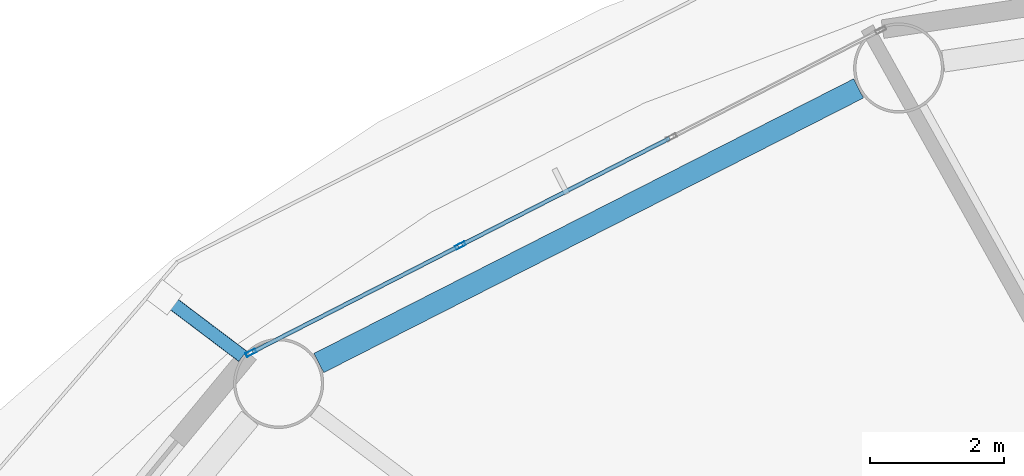
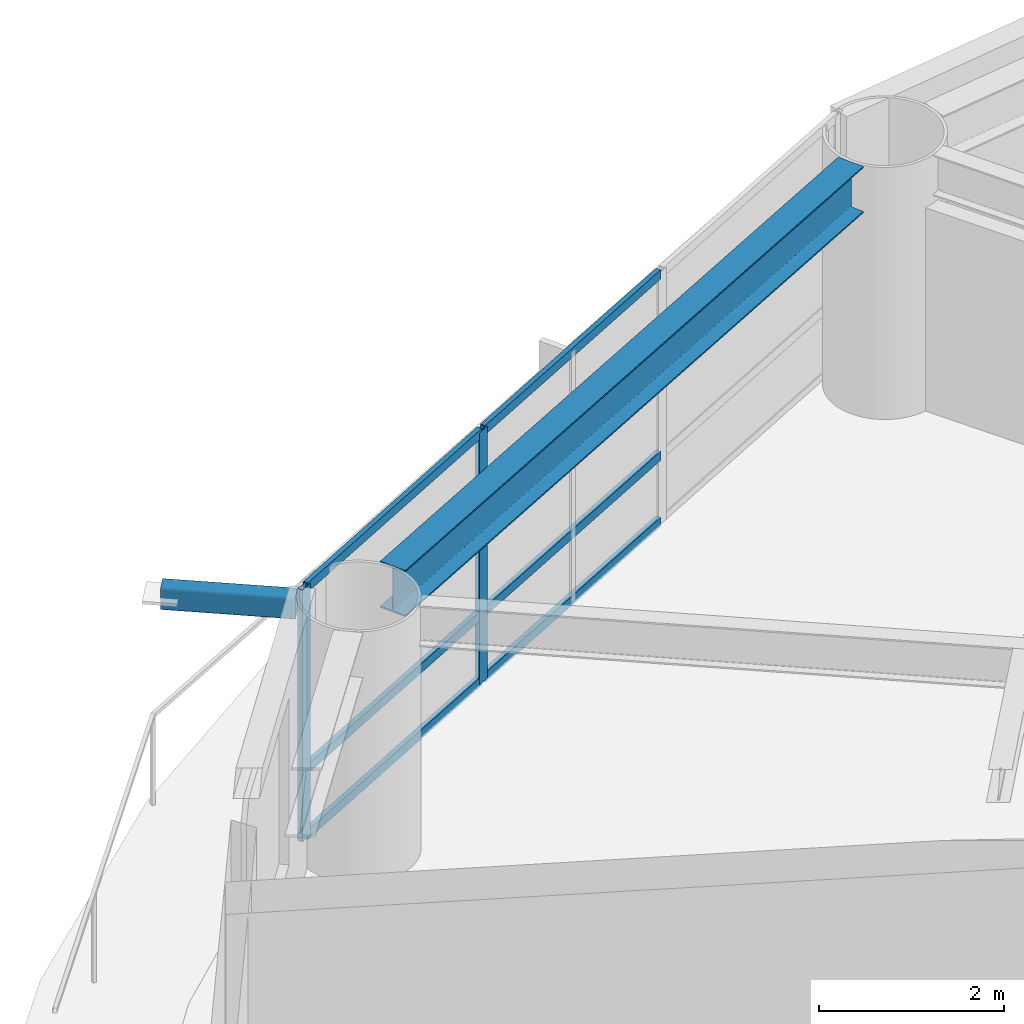
# One storey, part 8 of 24: 9 members, 1 beam, 1 element without a shape of its own.
"""IFC4 building model written with IfcOpenShell, lengths in metres."""

from ifc_helpers import new_model, si_unit, direction, frame, origin, origin_2d, place, context, subcontext, project, spatial, hollow_rectangle, i_section, extrude, material, layer, layer_set, material_profile, profile_set, type_object, element, aggregate, save


model = new_model("IFC4")

# Units and contexts
model_context = context("Model", 3, precision=1e-05, world=origin(), true_north=direction((0.0, 1.0)))
body_context = subcontext(model_context, "Body", "Model", "MODEL_VIEW")
ifc_project = project(units=[si_unit("LENGTHUNIT", "METRE"), si_unit("AREAUNIT", "SQUARE_METRE"), si_unit("VOLUMEUNIT", "CUBIC_METRE"), si_unit("PLANEANGLEUNIT", "RADIAN"), si_unit("MASSUNIT", "GRAM", prefix="KILO")], contexts=[model_context])

# Site, building, storey
site_placement = place(None, origin())
site = spatial("IfcSite", under=ifc_project, at=site_placement, CompositionType="ELEMENT")
building_placement = place(site_placement, origin())
building = spatial("IfcBuilding", under=site, at=building_placement, Name="Sarneth Arch Tower", CompositionType="ELEMENT")
storey_placement = place(building_placement, frame((0.0, 0.0, 130.800048828125)))
storey = spatial("IfcBuildingStorey", under=building, at=storey_placement, Name="L33", CompositionType="ELEMENT", Elevation=130.800048828125)

# Beam
ifc_material_1 = material(Name="Steel S355", Category="steel")
ifc_material_profile_1 = material_profile(ifc_material_1, i_section(OverallWidth=0.323974609375, OverallDepth=0.611083984375, WebThickness=0.0126953125, FlangeThickness=0.01904296875, FilletRadius=0.01904296875, at=origin_2d()), Name="W610x155")
ifc_profile_set_1 = profile_set([ifc_material_profile_1], Name="Steel S355")
beam_type = type_object("IfcBeamType", Name="BM-SPAN-610B", PredefinedType="SPANDREL", material=ifc_profile_set_1)
beam_placement = place(storey_placement, frame((36.2880859375, 61.83447265625, 3.014404296875), z_axis=(-0.891255891792, -0.453500755619, 0.0), x_axis=(0.453500755619, -0.891255891792, 0.0)))
element("IfcBeam", 1, at=beam_placement, inside=storey, type_object=beam_type, Name="L33 Perimeter spandrel beam 06", PredefinedType="SPANDREL", context=body_context, shape_type="SweptSolid", body=[
    extrude(i_section(OverallWidth=0.323974609375, OverallDepth=0.611083984375, WebThickness=0.0126953125, FlangeThickness=0.01904296875, FilletRadius=0.01904296875, at=origin_2d()), origin(), (0.0, 0.0, 1.0), 9.070556640625),
])

# Curtain wall, members
ifc_material_2 = material(Name="Anodised aluminium Type AA25 and solar-control low-e laminated IGU", Category="aluminium")
ifc_layer = layer(ifc_material_2, 0.159912109375)
ifc_layer_set = layer_set([ifc_layer], Name="Anodised aluminium Type AA25 and solar-control low-e laminated IGU")
curtain_wall_type = type_object("IfcCurtainWallType", Name="CW-HOTEL-MID", PredefinedType="NOTDEFINED", material=ifc_layer_set)
curtain_wall_placement = place(storey_placement, origin())
curtain_wall = element("IfcCurtainWall", 2, at=curtain_wall_placement, inside=storey, type_object=curtain_wall_type, Name="L33 Unitised curtain wall facet 06", PredefinedType="NOTDEFINED")
ifc_material_3 = material(Name="Anodised Aluminium 6063-T6", Category="aluminium")
ifc_material_profile_2 = material_profile(ifc_material_3, hollow_rectangle(XDim=0.06005859375, YDim=0.159912109375, WallThickness=0.00390625, at=origin_2d()), Name="AL-MULL-160x60x4")
ifc_profile_set_2 = profile_set([ifc_material_profile_2], Name="Anodised Aluminium 6063-T6")
member_type_1 = type_object("IfcMemberType", Name="CW-MULLION", PredefinedType="MULLION", material=ifc_profile_set_2)
member_1_placement = place(storey_placement, frame((30.322998046875, 59.481201171875, 0.0), z_axis=(0.0, 0.0, 1.0), x_axis=(0.456031365356, -0.889963703649, 0.0)))
member_1 = element("IfcMember", 3, at=member_1_placement, type_object=member_type_1, Name="CW-SYS-4 mullion 3", PredefinedType="MULLION", context=body_context, shape_type="SweptSolid", body=[
    extrude(hollow_rectangle(XDim=0.06005859375, YDim=0.159912109375, WallThickness=0.00390625, at=origin_2d()), origin(), (0.0, 0.0, 1.0), 3.320068359375),
])
member_2_placement = place(storey_placement, frame((27.186767578125, 57.8740234375, 0.0), z_axis=(0.0, 0.0, 1.0), x_axis=(0.456031365356, -0.889963703649, 0.0)))
member_2 = element("IfcMember", 4, at=member_2_placement, type_object=member_type_1, Name="CW-SYS-4 mullion 4", PredefinedType="MULLION", context=body_context, shape_type="SweptSolid", body=[
    extrude(hollow_rectangle(XDim=0.06005859375, YDim=0.159912109375, WallThickness=0.00390625, at=origin_2d()), origin(), (0.0, 0.0, 1.0), 3.320068359375),
])
ifc_material_4 = material(Name="Anodised Aluminium 6063-T6", Category="aluminium")
ifc_material_profile_3 = material_profile(ifc_material_4, hollow_rectangle(XDim=0.06005859375, YDim=0.1201171875, WallThickness=0.00390625, at=origin_2d()), Name="AL-TRAN-120x60x4")
ifc_profile_set_3 = profile_set([ifc_material_profile_3], Name="Anodised Aluminium 6063-T6")
member_type_2 = type_object("IfcMemberType", Name="CW-TRANSOM", PredefinedType="USERDEFINED", material=ifc_profile_set_3)
member_3_placement = place(storey_placement, frame((33.459228515625, 61.088134765625, 0.030029296875), z_axis=(-0.889981813856, -0.455996020823, 0.0), x_axis=(0.455996020823, -0.889981813856, 0.0)))
member_3 = element("IfcMember", 5, at=member_3_placement, type_object=member_type_2, Name="CW-SYS-4 transom 2.1", ObjectType="TRANSOM", PredefinedType="USERDEFINED", context=body_context, shape_type="SweptSolid", body=[
    extrude(hollow_rectangle(XDim=0.06005859375, YDim=0.1201171875, WallThickness=0.00390625, at=origin_2d()), origin(), (0.0, 0.0, 1.0), 3.494140625),
])
member_4_placement = place(storey_placement, frame((33.459228515625, 61.088134765625, 0.89990234375), z_axis=(-0.889981813856, -0.455996020823, 0.0), x_axis=(0.455996020823, -0.889981813856, 0.0)))
member_4 = element("IfcMember", 6, at=member_4_placement, type_object=member_type_2, Name="CW-SYS-4 transom 2.2", ObjectType="TRANSOM", PredefinedType="USERDEFINED", context=body_context, shape_type="SweptSolid", body=[
    extrude(hollow_rectangle(XDim=0.06005859375, YDim=0.1201171875, WallThickness=0.00390625, at=origin_2d()), origin(), (0.0, 0.0, 1.0), 3.494140625),
])
member_5_placement = place(storey_placement, frame((33.459228515625, 61.088134765625, 3.2900390625), z_axis=(-0.889981813856, -0.455996020823, 0.0), x_axis=(0.455996020823, -0.889981813856, 0.0)))
member_5 = element("IfcMember", 7, at=member_5_placement, type_object=member_type_2, Name="CW-SYS-4 transom 2.3", ObjectType="TRANSOM", PredefinedType="USERDEFINED", context=body_context, shape_type="SweptSolid", body=[
    extrude(hollow_rectangle(XDim=0.06005859375, YDim=0.1201171875, WallThickness=0.00390625, at=origin_2d()), origin(), (0.0, 0.0, 1.0), 3.494140625),
])
member_6_placement = place(storey_placement, frame((30.296142578125, 59.467529296875, 0.030029296875), z_axis=(-0.889942905184, -0.456071952122, 0.0), x_axis=(0.456071952122, -0.889942905184, 0.0)))
member_6 = element("IfcMember", 8, at=member_6_placement, type_object=member_type_2, Name="CW-SYS-4 transom 3.1", ObjectType="TRANSOM", PredefinedType="USERDEFINED", context=body_context, shape_type="SweptSolid", body=[
    extrude(hollow_rectangle(XDim=0.06005859375, YDim=0.1201171875, WallThickness=0.00390625, at=origin_2d()), origin(), (0.0, 0.0, 1.0), 3.464111328125),
])
member_7_placement = place(storey_placement, frame((30.296142578125, 59.467529296875, 0.89990234375), z_axis=(-0.889942905184, -0.456071952122, 0.0), x_axis=(0.456071952122, -0.889942905184, 0.0)))
member_7 = element("IfcMember", 9, at=member_7_placement, type_object=member_type_2, Name="CW-SYS-4 transom 3.2", ObjectType="TRANSOM", PredefinedType="USERDEFINED", context=body_context, shape_type="SweptSolid", body=[
    extrude(hollow_rectangle(XDim=0.06005859375, YDim=0.1201171875, WallThickness=0.00390625, at=origin_2d()), origin(), (0.0, 0.0, 1.0), 3.464111328125),
])
member_8_placement = place(storey_placement, frame((30.296142578125, 59.467529296875, 3.2900390625), z_axis=(-0.889942905184, -0.456071952122, 0.0), x_axis=(0.456071952122, -0.889942905184, 0.0)))
member_8 = element("IfcMember", 10, at=member_8_placement, type_object=member_type_2, Name="CW-SYS-4 transom 3.3", ObjectType="TRANSOM", PredefinedType="USERDEFINED", context=body_context, shape_type="SweptSolid", body=[
    extrude(hollow_rectangle(XDim=0.06005859375, YDim=0.1201171875, WallThickness=0.00390625, at=origin_2d()), origin(), (0.0, 0.0, 1.0), 3.464111328125),
])
aggregate(curtain_wall, [member_1, member_2, member_3, member_4, member_5, member_6, member_7, member_8])

# Member
ifc_material_5 = material(Name="Steel S355", Category="steel")
ifc_material_profile_4 = material_profile(ifc_material_5, hollow_rectangle(XDim=0.199951171875, YDim=0.300048828125, WallThickness=0.012451171875, InnerFilletRadius=0.018798828125, OuterFilletRadius=0.03125, at=origin_2d()), Name="RHS300x200x12.5")
ifc_profile_set_4 = profile_set([ifc_material_profile_4], Name="Steel S355")
member_type_3 = type_object("IfcMemberType", Name="MEM-CANT-STRUT", PredefinedType="STRUT", material=ifc_profile_set_4)
member_9_placement = place(storey_placement, frame((27.063720703125, 57.822021484375, 3.159912109375), z_axis=(-0.797817505134, 0.602899020153, 0.0), x_axis=(-0.602899020153, -0.797817505134, 0.0)))
element("IfcMember", 11, at=member_9_placement, inside=storey, type_object=member_type_3, Name="L33 Balcony cantilever bracket 07", PredefinedType="STRUT", context=body_context, shape_type="SweptSolid", body=[
    extrude(hollow_rectangle(XDim=0.199951171875, YDim=0.300048828125, WallThickness=0.012451171875, InnerFilletRadius=0.018798828125, OuterFilletRadius=0.03125, at=origin_2d()), origin(), (0.0, 0.0, 1.0), 1.466796875),
])

save(model, "model.ifc")
